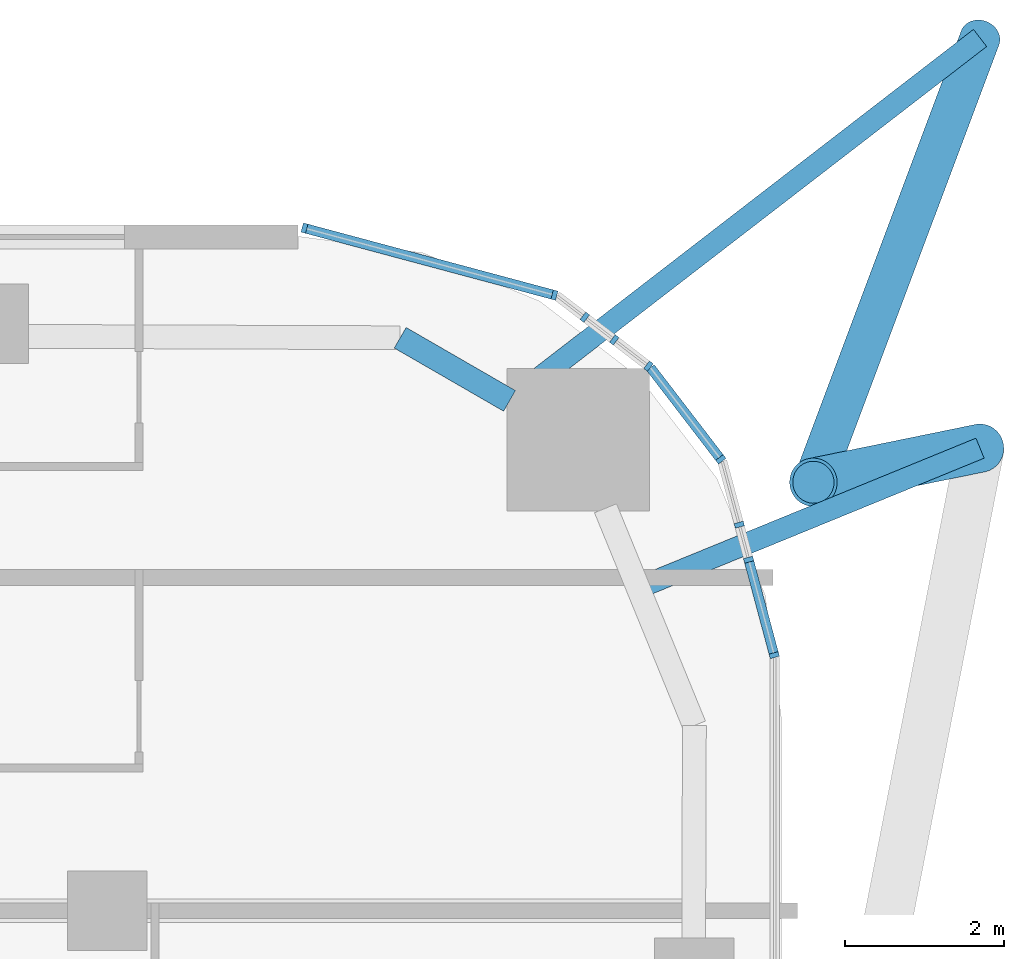
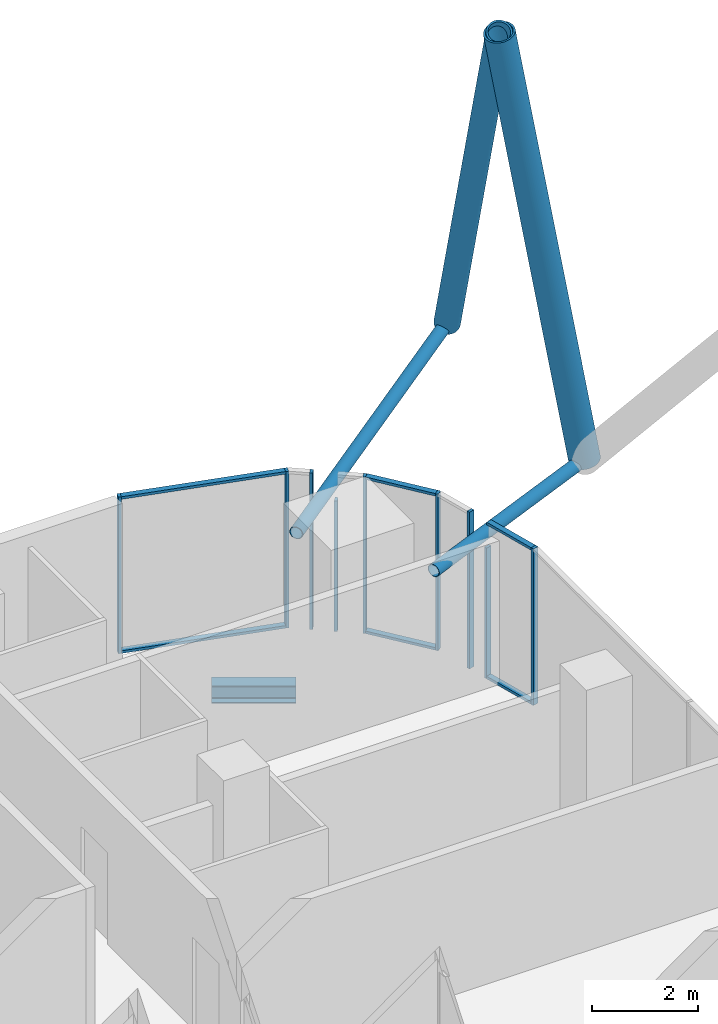
# One storey, part 15 of 36: 19 members, 1 beam, 8 elements without a shape of their own.
"""IFC4 building model written with IfcOpenShell, lengths in metres."""

from ifc_helpers import new_model, si_unit, direction, frame, origin, origin_2d, place, context, subcontext, project, spatial, rectangle, hollow_circle, i_section, extrude, material, layer, layer_set, material_profile, profile_set, type_object, element, aggregate, save


model = new_model("IFC4")

# Units and contexts
model_context = context("Model", 3, precision=1e-05, world=origin(), true_north=direction((0.0, 1.0)))
body_context = subcontext(model_context, "Body", "Model", "MODEL_VIEW")
ifc_project = project(units=[si_unit("LENGTHUNIT", "METRE"), si_unit("AREAUNIT", "SQUARE_METRE"), si_unit("VOLUMEUNIT", "CUBIC_METRE"), si_unit("PLANEANGLEUNIT", "RADIAN"), si_unit("MASSUNIT", "GRAM", prefix="KILO")], contexts=[model_context])

# Site, building, storey
site_placement = place(None, origin())
site = spatial("IfcSite", under=ifc_project, at=site_placement, CompositionType="ELEMENT")
building_placement = place(site_placement, origin())
building = spatial("IfcBuilding", under=site, at=building_placement, Name="Marenta Gate Hotel Tower", CompositionType="ELEMENT")
storey_placement = place(building_placement, frame((0.0, 0.0, 83.300048828125)))
storey = spatial("IfcBuildingStorey", under=building, at=storey_placement, Name="L19", CompositionType="ELEMENT", Elevation=83.300048828125)

# Members
ifc_material_1 = material(Name="Steel S355J2W", Category="steel")
ifc_material_profile_1 = material_profile(ifc_material_1, hollow_circle(Radius=0.25390625, WallThickness=0.0400390625, at=origin_2d()), Name="CHS 508x40")
ifc_profile_set_1 = profile_set([ifc_material_profile_1], Name="Steel S355J2W")
member_type_1 = type_object("IfcMemberType", Name="Diagrid corner post Z1 CHS 508x40", PredefinedType="POST", material=ifc_profile_set_1)
member_1_placement = place(storey_placement, frame((32.0, 36.199951171875, 3.139892578125), z_axis=(-0.170111239528, -0.453597012445, 0.874821076842), x_axis=(0.93632078934, -0.351145809387, 0.0)))
element("IfcMember", 1, at=member_1_placement, inside=storey, type_object=member_type_1, Name="L19-DR-1", PredefinedType="POST", context=body_context, shape_type="SweptSolid", body=[
    extrude(hollow_circle(Radius=0.25390625, WallThickness=0.0400390625, at=origin_2d()), origin(), (0.0, 0.0, 1.0), 12.345458984375),
])
ifc_material_2 = material(Name="Steel S355J2W", Category="steel")
ifc_material_profile_2 = material_profile(ifc_material_2, hollow_circle(Radius=0.304931640625, WallThickness=0.0400390625, at=origin_2d()), Name="CHS 610x40")
ifc_profile_set_2 = profile_set([ifc_material_profile_2], Name="Steel S355J2W")
member_type_2 = type_object("IfcMemberType", Name="Diagrid diagonal T1 CHS 610x40", PredefinedType="BRACE", material=ifc_profile_set_2)
member_2_placement = place(storey_placement, frame((32.0, 31.030029296875, 3.139892578125), z_axis=(-0.190731815435, -0.039046585327, 0.980865301025), x_axis=(0.200560207771, -0.979681378336, 0.0)))
element("IfcMember", 2, at=member_2_placement, inside=storey, type_object=member_type_2, Name="L19-DG-1", PredefinedType="BRACE", context=body_context, shape_type="SweptSolid", body=[
    extrude(hollow_circle(Radius=0.304931640625, WallThickness=0.0400390625, at=origin_2d()), origin(), (0.0, 0.0, 1.0), 11.0107421875),
])

# Beam
ifc_material_3 = material(Name="Steel S355", Category="steel")
ifc_material_profile_3 = material_profile(ifc_material_3, i_section(OverallWidth=0.300048828125, OverallDepth=0.39990234375, WebThickness=0.013427734375, FlangeThickness=0.02392578125, FilletRadius=0.027099609375, at=origin_2d()), Name="HEB 400")
ifc_profile_set_3 = profile_set([ifc_material_profile_3], Name="Steel S355")
beam_type = type_object("IfcBeamType", Name="Edge beam HEB 400", PredefinedType="SPANDREL", material=ifc_profile_set_3)
beam_placement = place(storey_placement, frame((24.69189453125, 32.42138671875, -0.4599609375), z_axis=(0.865968422476, -0.500098681536, 0.0), x_axis=(0.500098681536, 0.865968422476, 0.0)))
element("IfcBeam", 3, at=beam_placement, inside=storey, type_object=beam_type, Name="L19-EB-20", PredefinedType="SPANDREL", context=body_context, shape_type="SweptSolid", body=[
    extrude(i_section(OverallWidth=0.300048828125, OverallDepth=0.39990234375, WebThickness=0.013427734375, FlangeThickness=0.02392578125, FilletRadius=0.027099609375, at=origin_2d()), origin(), (0.0, 0.0, 1.0), 1.591552734375),
])

# Members
ifc_material_4 = material(Name="Steel S355J2W", Category="steel")
ifc_material_profile_4 = material_profile(ifc_material_4, hollow_circle(Radius=0.136474609375, WallThickness=0.012451171875, at=origin_2d()), Name="CHS 273x12.5")
ifc_profile_set_4 = profile_set([ifc_material_profile_4], Name="Steel S355J2W")
member_type_3 = type_object("IfcMemberType", Name="Floor tie CHS 273x12.5", PredefinedType="STRUT", material=ifc_profile_set_4)
member_3_placement = place(storey_placement, frame((32.0, 36.199951171875, 3.139892578125), z_axis=(-0.79178767265, -0.610796432079, 0.0), x_axis=(0.610796432079, -0.79178767265, 0.0)))
element("IfcMember", 4, at=member_3_placement, inside=storey, type_object=member_type_3, Name="L19-DR-7", PredefinedType="STRUT", context=body_context, shape_type="SweptSolid", body=[
    extrude(hollow_circle(Radius=0.136474609375, WallThickness=0.012451171875, at=origin_2d()), origin(), (0.0, 0.0, 1.0), 7.472900390625),
])
member_4_placement = place(storey_placement, frame((32.0, 31.030029296875, 3.139892578125), z_axis=(-0.925541927766, -0.378645137229, 0.0), x_axis=(0.378645137229, -0.925541927766, 0.0)))
element("IfcMember", 5, at=member_4_placement, inside=storey, type_object=member_type_3, Name="L19-DR-8", PredefinedType="STRUT", context=body_context, shape_type="SweptSolid", body=[
    extrude(hollow_circle(Radius=0.136474609375, WallThickness=0.012451171875, at=origin_2d()), origin(), (0.0, 0.0, 1.0), 4.640380859375),
])

# Curtain wall, member
ifc_material_5 = material(Name="Tinted insulated glass in bronze anodised frame", Category="glass")
ifc_layer = layer(ifc_material_5, 0.1201171875)
ifc_layer_set = layer_set([ifc_layer], Name="Tinted insulated glass in bronze anodised frame")
curtain_wall_type = type_object("IfcCurtainWallType", Name="Tower unitised curtain wall CW1", PredefinedType="NOTDEFINED", material=ifc_layer_set)
curtain_wall_1_placement = place(storey_placement, origin())
curtain_wall_1 = element("IfcCurtainWall", 6, at=curtain_wall_1_placement, inside=storey, type_object=curtain_wall_type, Name="CW1 run G35", PredefinedType="NOTDEFINED")
ifc_material_6 = material(Name="Bronze anodised aluminium", Category="aluminium")
ifc_material_profile_5 = material_profile(ifc_material_6, rectangle(XDim=0.1201171875, YDim=0.06005859375, at=origin_2d()), Name="Mullion CW1 60x120 bronze anodised aluminium")
ifc_profile_set_5 = profile_set([ifc_material_profile_5], Name="Bronze anodised aluminium")
member_type_4 = type_object("IfcMemberType", Name="Mullion CW1 60x120 bronze anodised aluminium", PredefinedType="MULLION", material=ifc_profile_set_5)
member_5_placement = place(storey_placement, frame((29.40625, 28.4208984375, 0.0), z_axis=(0.0, 0.0, 1.0), x_axis=(-0.965926558196, -0.258816313572, 0.0)))
member_5 = element("IfcMember", 7, at=member_5_placement, type_object=member_type_4, Name="CW1 mullion 1", PredefinedType="MULLION", context=body_context, shape_type="SweptSolid", body=[
    extrude(rectangle(XDim=0.1201171875, YDim=0.06005859375, at=origin_2d()), origin(), (0.0, 0.0, 1.0), 3.599853515625),
])

curtain_wall_2_placement = place(storey_placement, origin())
curtain_wall_2 = element("IfcCurtainWall", 8, at=curtain_wall_2_placement, inside=storey, type_object=curtain_wall_type, Name="CW1 run G36", PredefinedType="NOTDEFINED")
member_6_placement = place(storey_placement, frame((29.083740234375, 29.62451171875, 0.0), z_axis=(0.0, 0.0, 1.0), x_axis=(-0.965921659399, -0.258834595648, 0.0)))
member_6 = element("IfcMember", 9, at=member_6_placement, type_object=member_type_4, Name="CW1 mullion 1", PredefinedType="MULLION", context=body_context, shape_type="SweptSolid", body=[
    extrude(rectangle(XDim=0.1201171875, YDim=0.06005859375, at=origin_2d()), origin(), (0.0, 0.0, 1.0), 3.00048828125),
])
aggregate(curtain_wall_2, [member_6])

curtain_wall_3_placement = place(storey_placement, origin())
curtain_wall_3 = element("IfcCurtainWall", 10, at=curtain_wall_3_placement, inside=storey, type_object=curtain_wall_type, Name="CW1 run G37", PredefinedType="NOTDEFINED")
member_7_placement = place(storey_placement, frame((28.965576171875, 30.065673828125, 0.0), z_axis=(0.0, 0.0, 1.0), x_axis=(-0.96592463299, -0.258823498514, 0.0)))
member_7 = element("IfcMember", 11, at=member_7_placement, type_object=member_type_4, Name="CW1 mullion 1", PredefinedType="MULLION", context=body_context, shape_type="SweptSolid", body=[
    extrude(rectangle(XDim=0.1201171875, YDim=0.06005859375, at=origin_2d()), origin(), (0.0, 0.0, 1.0), 3.599853515625),
])
aggregate(curtain_wall_3, [member_7])

curtain_wall_4_placement = place(storey_placement, origin())
curtain_wall_4 = element("IfcCurtainWall", 12, at=curtain_wall_4_placement, inside=storey, type_object=curtain_wall_type, Name="CW1 run G38", PredefinedType="NOTDEFINED")
member_8_placement = place(storey_placement, frame((28.733154296875, 30.888916015625, 0.0), z_axis=(0.0, 0.0, 1.0), x_axis=(-0.79333801153, -0.608781405318, 0.0)))
member_8 = element("IfcMember", 13, at=member_8_placement, type_object=member_type_4, Name="CW1 mullion 1", PredefinedType="MULLION", context=body_context, shape_type="SweptSolid", body=[
    extrude(rectangle(XDim=0.1201171875, YDim=0.06005859375, at=origin_2d()), origin(), (0.0, 0.0, 1.0), 3.599853515625),
])

curtain_wall_5_placement = place(storey_placement, origin())
curtain_wall_5 = element("IfcCurtainWall", 14, at=curtain_wall_5_placement, inside=storey, type_object=curtain_wall_type, Name="CW1 run G39", PredefinedType="NOTDEFINED")
member_9_placement = place(storey_placement, frame((27.82177734375, 32.063720703125, 0.0), z_axis=(0.0, 0.0, 1.0), x_axis=(-0.608794550401, -0.793327924254, 0.0)))
member_9 = element("IfcMember", 15, at=member_9_placement, type_object=member_type_4, Name="CW1 mullion 1", PredefinedType="MULLION", context=body_context, shape_type="SweptSolid", body=[
    extrude(rectangle(XDim=0.1201171875, YDim=0.06005859375, at=origin_2d()), origin(), (0.0, 0.0, 1.0), 3.599853515625),
])
aggregate(curtain_wall_5, [member_9])

curtain_wall_6_placement = place(storey_placement, origin())
curtain_wall_6 = element("IfcCurtainWall", 16, at=curtain_wall_6_placement, inside=storey, type_object=curtain_wall_type, Name="CW1 run G40", PredefinedType="NOTDEFINED")
member_10_placement = place(storey_placement, frame((27.390380859375, 32.394775390625, 0.0), z_axis=(0.0, 0.0, 1.0), x_axis=(-0.608771939349, -0.793345275313, 0.0)))
member_10 = element("IfcMember", 17, at=member_10_placement, type_object=member_type_4, Name="CW1 mullion 1", PredefinedType="MULLION", context=body_context, shape_type="SweptSolid", body=[
    extrude(rectangle(XDim=0.1201171875, YDim=0.06005859375, at=origin_2d()), origin(), (0.0, 0.0, 1.0), 3.00048828125),
])
aggregate(curtain_wall_6, [member_10])

curtain_wall_7_placement = place(storey_placement, origin())
curtain_wall_7 = element("IfcCurtainWall", 18, at=curtain_wall_7_placement, inside=storey, type_object=curtain_wall_type, Name="CW1 run G41", PredefinedType="NOTDEFINED")
member_11_placement = place(storey_placement, frame((27.018798828125, 32.679931640625, 0.0), z_axis=(0.0, 0.0, 1.0), x_axis=(-0.608775711402, -0.793342380821, 0.0)))
member_11 = element("IfcMember", 19, at=member_11_placement, type_object=member_type_4, Name="CW1 mullion 1", PredefinedType="MULLION", context=body_context, shape_type="SweptSolid", body=[
    extrude(rectangle(XDim=0.1201171875, YDim=0.06005859375, at=origin_2d()), origin(), (0.0, 0.0, 1.0), 3.599853515625),
])
aggregate(curtain_wall_7, [member_11])

# Curtain wall, members
curtain_wall_8_placement = place(storey_placement, origin())
curtain_wall_8 = element("IfcCurtainWall", 20, at=curtain_wall_8_placement, inside=storey, type_object=curtain_wall_type, Name="CW1 run G42", PredefinedType="NOTDEFINED")
member_12_placement = place(storey_placement, frame((26.63623046875, 32.958984375, 0.0), z_axis=(0.0, 0.0, 1.0), x_axis=(-0.258807310344, -0.965928970532, 0.0)))
member_12 = element("IfcMember", 21, at=member_12_placement, type_object=member_type_4, Name="CW1 mullion 1", PredefinedType="MULLION", context=body_context, shape_type="SweptSolid", body=[
    extrude(rectangle(XDim=0.1201171875, YDim=0.06005859375, at=origin_2d()), origin(), (0.0, 0.0, 1.0), 3.599853515625),
])
member_13_placement = place(storey_placement, frame((23.485595703125, 33.80322265625, 0.0), z_axis=(0.0, 0.0, 1.0), x_axis=(-0.258807310344, -0.965928970532, 0.0)))
member_13 = element("IfcMember", 22, at=member_13_placement, type_object=member_type_4, Name="CW1 mullion 2", PredefinedType="MULLION", context=body_context, shape_type="SweptSolid", body=[
    extrude(rectangle(XDim=0.1201171875, YDim=0.06005859375, at=origin_2d()), origin(), (0.0, 0.0, 1.0), 3.599853515625),
])

# Member
ifc_material_7 = material(Name="Bronze anodised aluminium", Category="aluminium")
ifc_material_profile_6 = material_profile(ifc_material_7, rectangle(XDim=0.1201171875, YDim=0.06005859375, at=origin_2d()), Name="Transom CW1 60x120 bronze anodised aluminium")
ifc_profile_set_6 = profile_set([ifc_material_profile_6], Name="Bronze anodised aluminium")
member_type_5 = type_object("IfcMemberType", Name="Transom CW1 60x120 bronze anodised aluminium", PredefinedType="USERDEFINED", material=ifc_profile_set_6)
member_14_placement = place(storey_placement, frame((29.3984375, 28.449951171875, 0.030029296875), z_axis=(-0.258777246525, 0.965937025215, 0.0), x_axis=(-0.965937025215, -0.258777246525, 0.0)))
member_14 = element("IfcMember", 23, at=member_14_placement, type_object=member_type_5, Name="CW1 transom 1.1", ObjectType="TRANSOM", PredefinedType="USERDEFINED", context=body_context, shape_type="SweptSolid", body=[
    extrude(rectangle(XDim=0.1201171875, YDim=0.06005859375, at=origin_2d()), origin(), (0.0, 0.0, 1.0), 1.185791015625),
])

member_15_placement = place(storey_placement, frame((29.3984375, 28.449951171875, 3.570068359375), z_axis=(-0.258777246525, 0.965937025215, 0.0), x_axis=(-0.965937025215, -0.258777246525, 0.0)))
member_15 = element("IfcMember", 24, at=member_15_placement, type_object=member_type_5, Name="CW1 transom 1.2", ObjectType="TRANSOM", PredefinedType="USERDEFINED", context=body_context, shape_type="SweptSolid", body=[
    extrude(rectangle(XDim=0.1201171875, YDim=0.06005859375, at=origin_2d()), origin(), (0.0, 0.0, 1.0), 1.185791015625),
])

aggregate(curtain_wall_1, [member_5, member_14, member_15])

member_16_placement = place(storey_placement, frame((28.71484375, 30.91259765625, 0.030029296875), z_axis=(-0.60882629199, 0.793303564963, 0.0), x_axis=(-0.793303564963, -0.60882629199, 0.0)))
member_16 = element("IfcMember", 25, at=member_16_placement, type_object=member_type_5, Name="CW1 transom 1.1", ObjectType="TRANSOM", PredefinedType="USERDEFINED", context=body_context, shape_type="SweptSolid", body=[
    extrude(rectangle(XDim=0.1201171875, YDim=0.06005859375, at=origin_2d()), origin(), (0.0, 0.0, 1.0), 1.427978515625),
])

member_17_placement = place(storey_placement, frame((28.71484375, 30.91259765625, 3.570068359375), z_axis=(-0.60882629199, 0.793303564963, 0.0), x_axis=(-0.793303564963, -0.60882629199, 0.0)))
member_17 = element("IfcMember", 26, at=member_17_placement, type_object=member_type_5, Name="CW1 transom 1.2", ObjectType="TRANSOM", PredefinedType="USERDEFINED", context=body_context, shape_type="SweptSolid", body=[
    extrude(rectangle(XDim=0.1201171875, YDim=0.06005859375, at=origin_2d()), origin(), (0.0, 0.0, 1.0), 1.427978515625),
])

aggregate(curtain_wall_4, [member_8, member_16, member_17])

member_18_placement = place(storey_placement, frame((26.607177734375, 32.966796875, 0.030029296875), z_axis=(-0.965933076693, 0.258791984709, 0.0), x_axis=(-0.258791984709, -0.965933076693, 0.0)))
member_18 = element("IfcMember", 27, at=member_18_placement, type_object=member_type_5, Name="CW1 transom 1.1", ObjectType="TRANSOM", PredefinedType="USERDEFINED", context=body_context, shape_type="SweptSolid", body=[
    extrude(rectangle(XDim=0.1201171875, YDim=0.06005859375, at=origin_2d()), origin(), (0.0, 0.0, 1.0), 3.201904296875),
])

member_19_placement = place(storey_placement, frame((26.607177734375, 32.966796875, 3.570068359375), z_axis=(-0.965933076693, 0.258791984709, 0.0), x_axis=(-0.258791984709, -0.965933076693, 0.0)))
member_19 = element("IfcMember", 28, at=member_19_placement, type_object=member_type_5, Name="CW1 transom 1.2", ObjectType="TRANSOM", PredefinedType="USERDEFINED", context=body_context, shape_type="SweptSolid", body=[
    extrude(rectangle(XDim=0.1201171875, YDim=0.06005859375, at=origin_2d()), origin(), (0.0, 0.0, 1.0), 3.201904296875),
])

aggregate(curtain_wall_8, [member_12, member_13, member_18, member_19])

save(model, "model.ifc")
